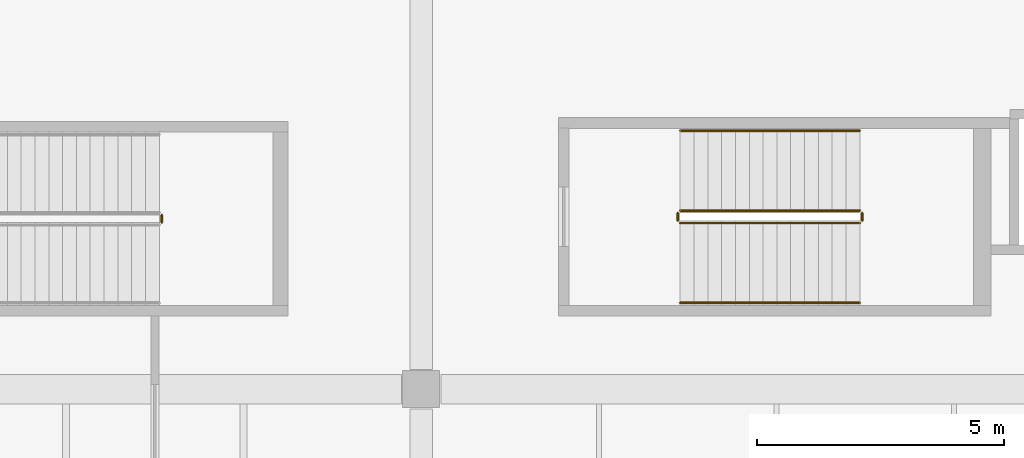
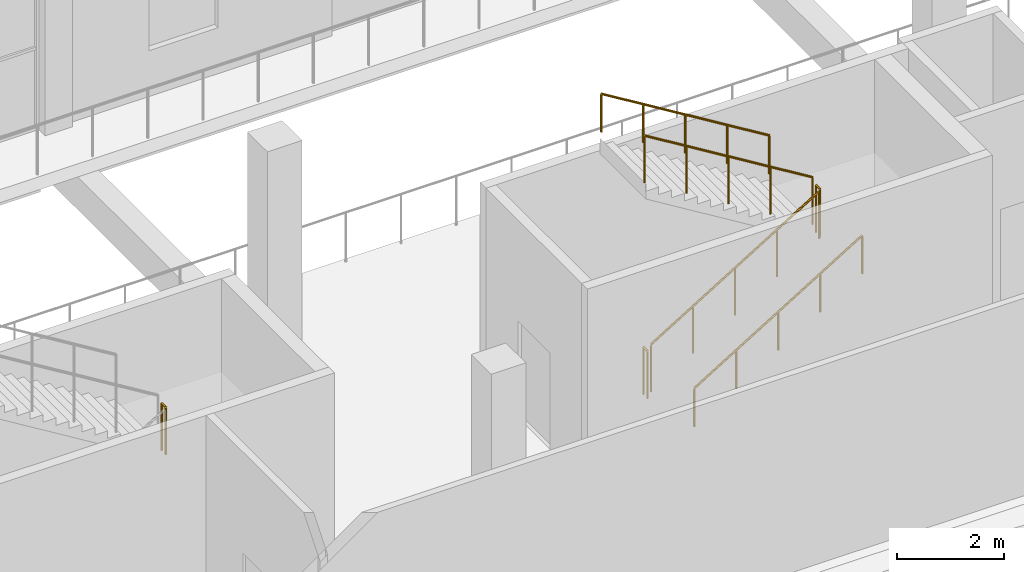
# One storey, part 121 of 130: 7 railings.
"""IFC4 building model written with IfcOpenShell, lengths in metres."""

from ifc_helpers import new_model, si_unit, direction, frame, origin, origin_2d, place, context, subcontext, project, spatial, circle, extrude, material, type_object, element, save


model = new_model("IFC4")

# Units and contexts
model_context = context("Model", 3, precision=1e-05, world=origin(), true_north=direction((0.0, 1.0)))
body_context = subcontext(model_context, "Body", "Model", "MODEL_VIEW")
ifc_project = project(units=[si_unit("LENGTHUNIT", "METRE"), si_unit("AREAUNIT", "SQUARE_METRE"), si_unit("VOLUMEUNIT", "CUBIC_METRE"), si_unit("PLANEANGLEUNIT", "RADIAN"), si_unit("MASSUNIT", "GRAM", prefix="KILO"), si_unit("THERMODYNAMICTEMPERATUREUNIT", "KELVIN")], contexts=[model_context])

# Site, building, storey
site_placement = place(None, origin())
site = spatial("IfcSite", under=ifc_project, at=site_placement, CompositionType="ELEMENT")
building_placement = place(site_placement, origin())
building = spatial("IfcBuilding", under=site, at=building_placement, Name="Nduvali Passage Aquatics Centre", CompositionType="ELEMENT")
storey_placement = place(building_placement, origin())
storey = spatial("IfcBuildingStorey", under=building, at=storey_placement, Name="L00", CompositionType="ELEMENT", Elevation=0.0)

# Railings
ifc_material = material(Name="Stainless steel balustrade", Category="steel")
railing_type_1 = type_object("IfcRailingType", Name="INT-RLG-GRD110", PredefinedType="GUARDRAIL", material=ifc_material)
railing_1_placement = place(storey_placement, frame((73.64990234375, 104.169921875, 0.17138671875)))
element("IfcRailing", 1, at=railing_1_placement, inside=storey, type_object=railing_type_1, Name="L00 ST1 stair guard 1", PredefinedType="GUARDRAIL", context=body_context, shape_type="SweptSolid", body=[
    extrude(circle(Radius=0.02392578125, at=origin_2d()), frame((0.0, 0.0, 1.076171875), z_axis=(0.852865859571, 0.0, 0.52213008492), x_axis=(0.0, 1.0, 0.0)), (0.0, 0.0, 1.0), 4.26806640625),
    extrude(circle(Radius=0.02099609375, at=origin_2d()), origin(), (0.0, 0.0, 1.0), 1.052001953125),
    extrude(circle(Radius=0.02099609375, at=origin_2d()), frame((0.91015625, 0.0, 0.55712890625)), (0.0, 0.0, 1.0), 1.052001953125),
    extrude(circle(Radius=0.02099609375, at=origin_2d()), frame((1.820068359375, 0.0, 1.1142578125)), (0.0, 0.0, 1.0), 1.052001953125),
    extrude(circle(Radius=0.02099609375, at=origin_2d()), frame((2.72998046875, 0.0, 1.67138671875)), (0.0, 0.0, 1.0), 1.052001953125),
    extrude(circle(Radius=0.02099609375, at=origin_2d()), frame((3.64013671875, 0.0, 2.228515625)), (0.0, 0.0, 1.0), 1.052001953125),
])
railing_2_placement = place(storey_placement, frame((77.340087890625, 104.219970703125, 2.39990234375)))
element("IfcRailing", 2, at=railing_2_placement, inside=storey, type_object=railing_type_1, Name="L00 ST1 stair guard 2", PredefinedType="GUARDRAIL", context=body_context, shape_type="SweptSolid", body=[
    extrude(circle(Radius=0.02392578125, at=origin_2d()), frame((0.0, 0.0, 1.076171875), z_axis=(0.0, 1.0, 0.0), x_axis=(-1.0, 0.0, 0.0)), (0.0, 0.0, 1.0), 0.150146484375),
    extrude(circle(Radius=0.02099609375, at=origin_2d()), origin(), (0.0, 0.0, 1.0), 1.052001953125),
    extrude(circle(Radius=0.02099609375, at=origin_2d()), frame((0.0, 0.150146484375, 0.0)), (0.0, 0.0, 1.0), 1.052001953125),
])
railing_3_placement = place(storey_placement, frame((77.2900390625, 104.419921875, 2.571533203125)))
element("IfcRailing", 3, at=railing_3_placement, inside=storey, type_object=railing_type_1, Name="L00 ST1 stair guard 3", PredefinedType="GUARDRAIL", context=body_context, shape_type="SweptSolid", body=[
    extrude(circle(Radius=0.02392578125, at=origin_2d()), frame((0.0, 0.0, 1.076171875), z_axis=(-0.852865859571, 0.0, 0.52213008492), x_axis=(0.0, -1.0, 0.0)), (0.0, 0.0, 1.0), 4.26806640625),
    extrude(circle(Radius=0.02099609375, at=origin_2d()), origin(), (0.0, 0.0, 1.0), 1.052001953125),
    extrude(circle(Radius=0.02099609375, at=origin_2d()), frame((-0.91015625, 0.0, 0.55712890625)), (0.0, 0.0, 1.0), 1.052001953125),
    extrude(circle(Radius=0.02099609375, at=origin_2d()), frame((-1.820068359375, 0.0, 1.1142578125)), (0.0, 0.0, 1.0), 1.052001953125),
    extrude(circle(Radius=0.02099609375, at=origin_2d()), frame((-2.72998046875, 0.0, 1.67138671875)), (0.0, 0.0, 1.0), 1.052001953125),
    extrude(circle(Radius=0.02099609375, at=origin_2d()), frame((-3.64013671875, 0.0, 2.228515625)), (0.0, 0.0, 1.0), 1.052001953125),
])
for number, where, name in (
    (4, (73.60009765625, 104.219970703125, 0.0), "L00 ST1 stair guard 4"),
    (5, (63.139892578125, 104.179931640625, 2.39990234375), "L00 ST3 stair guard 2"),
):
    element("IfcRailing", number, at=place(storey_placement, frame(where)), inside=storey, type_object=railing_type_1, Name=name, PredefinedType="GUARDRAIL", context=body_context, shape_type="SweptSolid", body=[
        extrude(circle(Radius=0.02392578125, at=origin_2d()), frame((0.0, 0.0, 1.076171875), z_axis=(0.0, 1.0, 0.0), x_axis=(-1.0, 0.0, 0.0)), (0.0, 0.0, 1.0), 0.150146484375),
        extrude(circle(Radius=0.02099609375, at=origin_2d()), origin(), (0.0, 0.0, 1.0), 1.052001953125),
        extrude(circle(Radius=0.02099609375, at=origin_2d()), frame((0.0, 0.150146484375, 0.0)), (0.0, 0.0, 1.0), 1.052001953125),
    ])
railing_type_2 = type_object("IfcRailingType", Name="INT-RLG-HND90", PredefinedType="HANDRAIL", material=ifc_material)
railing_4_placement = place(storey_placement, frame((73.64990234375, 102.550048828125, 0.346435546875)))
element("IfcRailing", 6, at=railing_4_placement, inside=storey, type_object=railing_type_2, Name="L00 ST1 stair handrail 1", PredefinedType="HANDRAIL", context=body_context, shape_type="SweptSolid", body=[
    extrude(circle(Radius=0.02392578125, at=origin_2d()), frame((0.0, 0.0, 0.8759765625), z_axis=(0.852865859571, 0.0, 0.52213008492), x_axis=(0.0, 1.0, 0.0)), (0.0, 0.0, 1.0), 4.26806640625),
    extrude(circle(Radius=0.02099609375, at=origin_2d()), origin(), (0.0, 0.0, 1.0), 0.851806640625),
    extrude(circle(Radius=0.02099609375, at=origin_2d()), frame((0.91015625, 0.0, 0.55712890625)), (0.0, 0.0, 1.0), 0.851806640625),
    extrude(circle(Radius=0.02099609375, at=origin_2d()), frame((1.820068359375, 0.0, 1.1142578125)), (0.0, 0.0, 1.0), 0.851806640625),
    extrude(circle(Radius=0.02099609375, at=origin_2d()), frame((2.72998046875, 0.0, 1.67138671875)), (0.0, 0.0, 1.0), 0.851806640625),
    extrude(circle(Radius=0.02099609375, at=origin_2d()), frame((3.64013671875, 0.0, 2.228515625)), (0.0, 0.0, 1.0), 0.851806640625),
])
railing_5_placement = place(storey_placement, frame((77.2900390625, 106.0400390625, 2.746337890625)))
element("IfcRailing", 7, at=railing_5_placement, inside=storey, type_object=railing_type_2, Name="L00 ST1 stair handrail 2", PredefinedType="HANDRAIL", context=body_context, shape_type="SweptSolid", body=[
    extrude(circle(Radius=0.02392578125, at=origin_2d()), frame((0.0, 0.0, 0.8759765625), z_axis=(-0.852865859571, 0.0, 0.52213008492), x_axis=(0.0, -1.0, 0.0)), (0.0, 0.0, 1.0), 4.26806640625),
    extrude(circle(Radius=0.02099609375, at=origin_2d()), origin(), (0.0, 0.0, 1.0), 0.851806640625),
    extrude(circle(Radius=0.02099609375, at=origin_2d()), frame((-0.91015625, 0.0, 0.55712890625)), (0.0, 0.0, 1.0), 0.851806640625),
    extrude(circle(Radius=0.02099609375, at=origin_2d()), frame((-1.820068359375, 0.0, 1.1142578125)), (0.0, 0.0, 1.0), 0.851806640625),
    extrude(circle(Radius=0.02099609375, at=origin_2d()), frame((-2.72998046875, 0.0, 1.67138671875)), (0.0, 0.0, 1.0), 0.851806640625),
    extrude(circle(Radius=0.02099609375, at=origin_2d()), frame((-3.64013671875, 0.0, 2.228515625)), (0.0, 0.0, 1.0), 0.851806640625),
])

save(model, "model.ifc")
